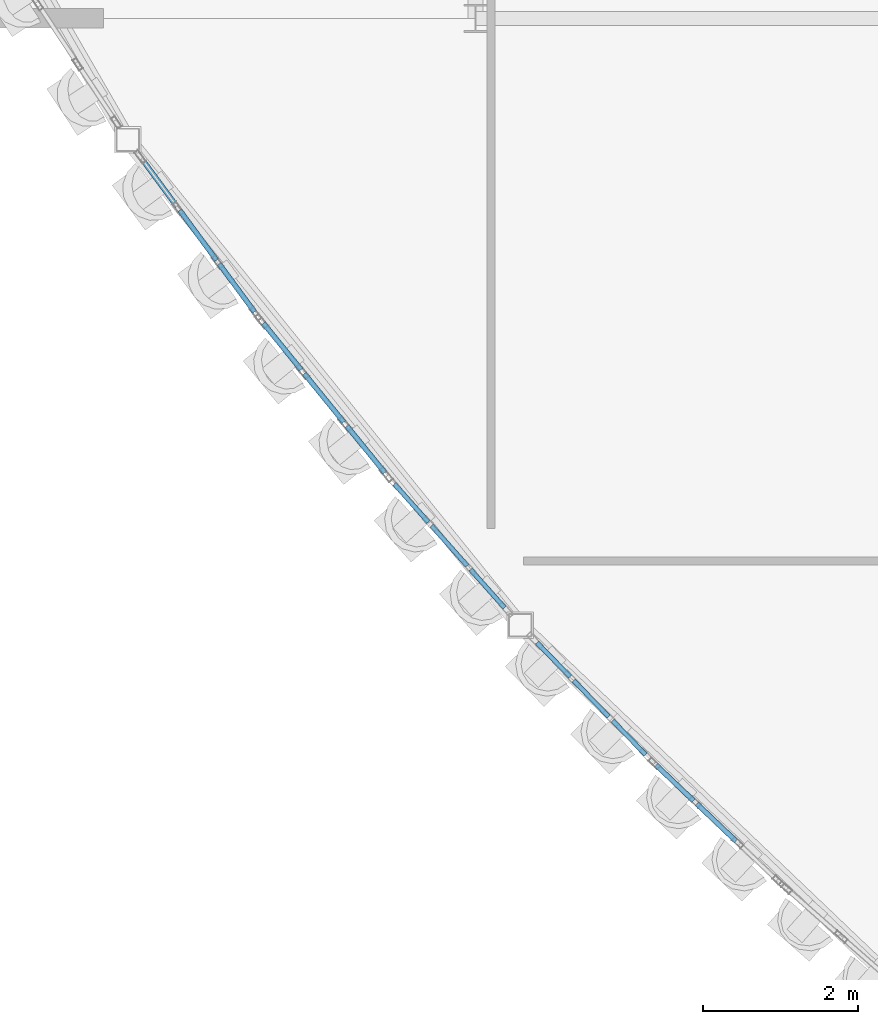
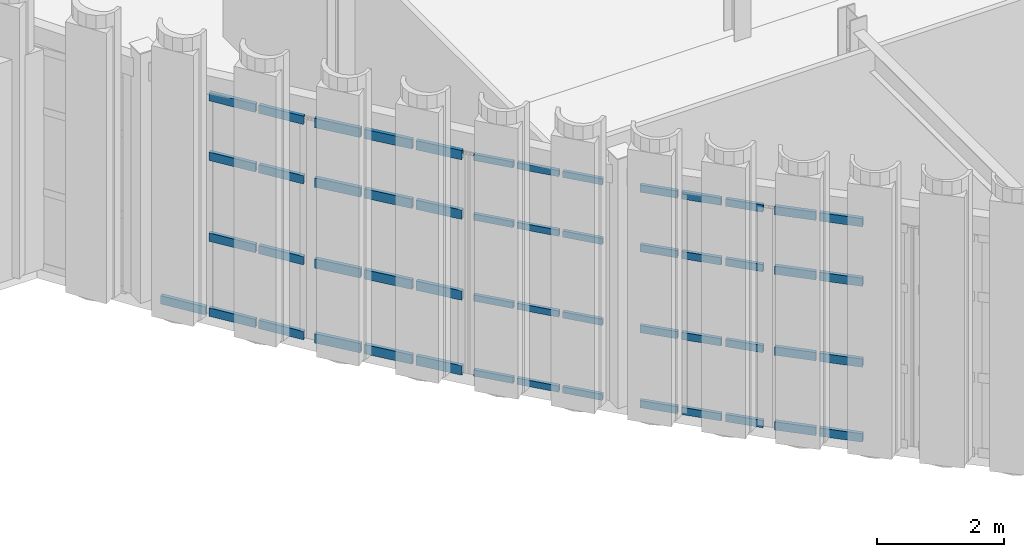
# One storey, part 73 of 126: 53 members, 5 elements without a shape of their own.
"""IFC4 building model written with IfcOpenShell, lengths in metres."""

import ifcopenshell
import ifcopenshell.guid

model = None  # the IFC model being written
_history = None  # IfcOwnerHistory: only IFC2X3 demands one
_inside = {}  # id of a spatial element -> (the spatial element, [elements in it])
_under = {}  # id of a project, library or spatial element -> (it, [spatial elements below it])
_declared = {}  # id of a project -> (the project, [libraries it declares])
_typed = {}  # id of a type object -> (the type object, [elements of that type])
_made_of = {}  # id of a material, layer set ... -> (it, [elements and type objects made of it])


def new_model(schema):
    """Start an empty IFC model of exactly this schema.

    Asked for "IFC4X3", IfcOpenShell would pick the latest addendum, in which some entities
    have other attributes; the version numbers below select the first issue.
    IFC2X3 requires an IfcOwnerHistory on every rooted entity: one is made here for all.
    """
    global model, _history
    if schema == "IFC4X3":
        model = ifcopenshell.file(schema_version=(4, 3, 0, 0))
    else:
        model = ifcopenshell.file(schema=schema)
    _inside.clear()
    _under.clear()
    _declared.clear()
    _typed.clear()
    _made_of.clear()
    _history = None
    if model.schema == "IFC2X3":
        org = make("IfcOrganization", Name="unknown")
        user = make(
            "IfcPersonAndOrganization",
            ThePerson=make("IfcPerson", FamilyName="unknown"),
            TheOrganization=org,
        )
        app = make(
            "IfcApplication",
            ApplicationDeveloper=org,
            Version="unknown",
            ApplicationFullName="unknown",
            ApplicationIdentifier="unknown",
        )
        _history = make(
            "IfcOwnerHistory",
            OwningUser=user,
            OwningApplication=app,
            ChangeAction="ADDED",
            CreationDate=0,
        )
    return model


def make(cls, **values):
    """One entity of the class cls with the attributes given. An attribute that is None is left unset."""
    return model.create_entity(
        cls, **{name: value for name, value in values.items() if value is not None}
    )


def rooted(cls, **values):
    """An entity with a GlobalId (a new one), such as an element, a storey or a relation."""
    return make(cls, GlobalId=ifcopenshell.guid.new(), OwnerHistory=_history, **values)


def si_unit(unit_type, name, prefix=None):
    """IfcSIUnit, for example si_unit("LENGTHUNIT", "METRE", prefix="MILLI")."""
    return make("IfcSIUnit", UnitType=unit_type, Prefix=prefix, Name=name)


def assignment(units):
    """IfcUnitAssignment: the units of a project."""
    return None if units is None else make("IfcUnitAssignment", Units=units)


def point(xyz):
    """IfcCartesianPoint."""
    return None if xyz is None else make("IfcCartesianPoint", Coordinates=xyz)


def direction(xyz):
    """IfcDirection."""
    return None if xyz is None else make("IfcDirection", DirectionRatios=xyz)


def frame(location, z_axis=None, x_axis=None):
    """IfcAxis2Placement3D, a coordinate frame: its origin and axes. An axis left out is left unset."""
    return make(
        "IfcAxis2Placement3D",
        Location=point(location),
        Axis=direction(z_axis),
        RefDirection=direction(x_axis),
    )


def frame_2d(location, x_axis=None):
    """IfcAxis2Placement2D, a coordinate frame in the plane: its origin and x axis."""
    return make(
        "IfcAxis2Placement2D", Location=point(location), RefDirection=direction(x_axis)
    )


def origin():
    """The frame at (0, 0, 0) with its axes left unset."""
    return frame((0.0, 0.0, 0.0))


def origin_2d():
    """The frame at (0, 0) in the plane with its x axis left unset."""
    return frame_2d((0.0, 0.0))


def place(relative_to, where):
    """IfcLocalPlacement: puts the frame where relative to a parent placement (None: the world)."""
    return make(
        "IfcLocalPlacement", PlacementRelTo=relative_to, RelativePlacement=where
    )


def context(
    kind, dimensions, precision=None, world=None, true_north=None, identifier=None
):
    """IfcGeometricRepresentationContext, for example the 3D "Model" context."""
    return make(
        "IfcGeometricRepresentationContext",
        ContextIdentifier=identifier,
        ContextType=kind,
        CoordinateSpaceDimension=dimensions,
        Precision=precision,
        WorldCoordinateSystem=world,
        TrueNorth=true_north,
    )


def subcontext(parent, identifier, kind, view, scale=None):
    """IfcGeometricRepresentationSubContext, for example "Body" below "Model"."""
    return make(
        "IfcGeometricRepresentationSubContext",
        ContextIdentifier=identifier,
        ContextType=kind,
        ParentContext=parent,
        TargetScale=scale,
        TargetView=view,
    )


def project(units=None, contexts=None):
    """IfcProject with its units and contexts."""
    return rooted(
        "IfcProject",
        Name="project",
        RepresentationContexts=contexts,
        UnitsInContext=assignment(units),
    )


def spatial(cls, under=None, at=None, **own):
    """A site, building, storey or space (cls), placed at a placement, below another one or the project."""
    s = rooted(cls, ObjectPlacement=at, **own)
    if under is not None:
        _under.setdefault(under.id(), (under, []))[1].append(s)
    return s


def profile(cls, at=None, kind="AREA", **sizes):
    """A parametric profile (cls). Its sizes go by their IFC names, for example OverallWidth=200.0."""
    return make(cls, ProfileType=kind, Position=at, **sizes)


def hollow_rectangle(**sizes):
    """IfcRectangleHollowProfileDef."""
    return profile("IfcRectangleHollowProfileDef", **sizes)


def extrude(swept, where, along, depth):
    """IfcExtrudedAreaSolid: the profile swept, set in the frame where, extruded along a direction by depth."""
    return make(
        "IfcExtrudedAreaSolid",
        SweptArea=swept,
        Position=where,
        ExtrudedDirection=direction(along),
        Depth=depth,
    )


def shape(context_of_items, identifier, shape_type, items):
    """IfcShapeRepresentation: the items that make up one representation, for example the "Body"."""
    return make(
        "IfcShapeRepresentation",
        ContextOfItems=context_of_items,
        RepresentationIdentifier=identifier,
        RepresentationType=shape_type,
        Items=items,
    )


def material(Name=None, Category=None):
    """IfcMaterial."""
    return make("IfcMaterial", Name=Name, Category=Category)


def layer(
    of_material, thickness, ventilated=None, Name=None, Category=None, Priority=None
):
    """IfcMaterialLayer: one layer of a wall or slab, of a material (None: an air gap)."""
    return make(
        "IfcMaterialLayer",
        Material=of_material,
        LayerThickness=thickness,
        IsVentilated=ventilated,
        Name=Name,
        Category=Category,
        Priority=Priority,
    )


def layer_set(layers, Name=None):
    """IfcMaterialLayerSet."""
    return make("IfcMaterialLayerSet", MaterialLayers=layers, LayerSetName=Name)


def material_profile(
    of_material, cross_section, Name=None, Category=None, Priority=None
):
    """IfcMaterialProfile: a cross section and its material."""
    return make(
        "IfcMaterialProfile",
        Name=Name,
        Material=of_material,
        Profile=cross_section,
        Priority=Priority,
        Category=Category,
    )


def profile_set(profiles, Name=None, composite=None):
    """IfcMaterialProfileSet."""
    return make(
        "IfcMaterialProfileSet",
        Name=Name,
        MaterialProfiles=profiles,
        CompositeProfile=composite,
    )


def made_of(thing, what):
    """Note that an element or type object is made of a material, layer set ...; save() writes the relation."""
    if what is not None:
        _made_of.setdefault(what.id(), (what, []))[1].append(thing)
    return thing


def type_object(cls, material=None, **own):
    """A type object (cls), such as IfcWallType, which elements share."""
    return made_of(rooted(cls, **own), material)


def element(
    cls,
    number,
    at=None,
    inside=None,
    cuts=None,
    type_object=None,
    material=None,
    context=None,
    identifier="Body",
    shape_type=None,
    held_by="IfcProductDefinitionShape",
    body=None,
    shapes=None,
    **own,
):
    """One element of the class cls, such as IfcWall. Its Tag is "e" and its number.

    at: its placement. inside: the storey or other place that contains it. cuts: it is an
    opening in that element (IfcRelVoidsElement). A single representation is given by context,
    identifier, shape_type and body (its items); several are given by shapes. held_by: the class
    of the entity that holds the representations. save() writes the other relations.
    """
    e = rooted(cls, Tag="e%d" % number, ObjectPlacement=at, **own)
    if body is not None:
        shapes = [shape(context, identifier, shape_type, body)]
    if shapes is not None:
        e.Representation = make(held_by, Representations=shapes)
    if inside is not None:
        _inside.setdefault(inside.id(), (inside, []))[1].append(e)
    if cuts is not None:
        rooted(
            "IfcRelVoidsElement", RelatingBuildingElement=cuts, RelatedOpeningElement=e
        )
    if type_object is not None:
        _typed.setdefault(type_object.id(), (type_object, []))[1].append(e)
    return made_of(e, material)


def aggregate(whole, parts):
    """IfcRelAggregates: a whole, such as a stair, and the parts it consists of."""
    return rooted("IfcRelAggregates", RelatingObject=whole, RelatedObjects=parts)


def save(model, path):
    """Write the relations noted so far, then the file.

    IfcRelAggregates (storeys below a building ...), IfcRelContainedInSpatialStructure (elements
    in a storey), IfcRelDefinesByType, IfcRelAssociatesMaterial and IfcRelDeclares: one each for
    every whole, place, type object, material and project.
    """
    for whole, parts in _under.values():
        aggregate(whole, parts)
    for where, things in _inside.values():
        rooted(
            "IfcRelContainedInSpatialStructure",
            RelatedElements=things,
            RelatingStructure=where,
        )
    for kind, things in _typed.values():
        rooted("IfcRelDefinesByType", RelatedObjects=things, RelatingType=kind)
    for what, things in _made_of.values():
        rooted("IfcRelAssociatesMaterial", RelatedObjects=things, RelatingMaterial=what)
    for by, libraries in _declared.values():
        rooted("IfcRelDeclares", RelatingContext=by, RelatedDefinitions=libraries)
    model.write(path)


model = new_model("IFC4")

# Units and contexts
model_context = context("Model", 3, precision=1e-05, world=origin(), true_north=direction((0.0, 1.0)))
body_context = subcontext(model_context, "Body", "Model", "MODEL_VIEW")
ifc_project = project(units=[si_unit("LENGTHUNIT", "METRE"), si_unit("AREAUNIT", "SQUARE_METRE"), si_unit("VOLUMEUNIT", "CUBIC_METRE"), si_unit("PLANEANGLEUNIT", "RADIAN"), si_unit("MASSUNIT", "GRAM", prefix="KILO")], contexts=[model_context])

# Site, building, storey
site_placement = place(None, origin())
site = spatial("IfcSite", under=ifc_project, at=site_placement, CompositionType="ELEMENT")
building_placement = place(site_placement, origin())
building = spatial("IfcBuilding", under=site, at=building_placement, Name="Solvadek Multi-Sports Hall", CompositionType="ELEMENT")
storey_placement = place(building_placement, frame((0.0, 0.0, 9.60009765625)))
storey = spatial("IfcBuildingStorey", under=building, at=storey_placement, Name="L02", CompositionType="ELEMENT", Elevation=9.60009765625)

# Curtain wall, members
ifc_material = material(Name="Anodised aluminium", Category="aluminium")
ifc_layer_1 = layer(ifc_material, 0.159912109375, Name="Anodised aluminium")
ifc_layer_set_1 = layer_set([ifc_layer_1], Name="Anodised aluminium")
curtain_wall_type_1 = type_object("IfcCurtainWallType", Name="ENV-CW-227X420", PredefinedType="USERDEFINED", material=ifc_layer_set_1)
curtain_wall_1_placement = place(storey_placement, origin())
curtain_wall_1 = element("IfcCurtainWall", 1, at=curtain_wall_1_placement, inside=storey, type_object=curtain_wall_type_1, Name="L02 Crescent Curved Curtain Wall #12", ObjectType="CURTAIN WALL", PredefinedType="USERDEFINED")
ifc_material_profile_1 = material_profile(ifc_material, hollow_rectangle(XDim=0.06005859375, YDim=0.1201171875, WallThickness=0.00390625, at=origin_2d()), Name="ALU-T 120x60x4")
ifc_profile_set_1 = profile_set([ifc_material_profile_1], Name="Anodised aluminium")
member_type_1 = type_object("IfcMemberType", Name="ENV-CWT-01", PredefinedType="USERDEFINED", material=ifc_profile_set_1)
member_1_placement = place(storey_placement, frame((34.951904296875, 7.1962890625, 0.02978515625), z_axis=(0.664754953116, -0.747061478265, 0.0), x_axis=(0.747061478265, 0.664754953116, 0.0)))
member_1 = element("IfcMember", 2, at=member_1_placement, type_object=member_type_1, Name="CW-06 transom 1.1", ObjectType="TRANSOM", PredefinedType="USERDEFINED", context=body_context, shape_type="SweptSolid", body=[
    extrude(hollow_rectangle(XDim=0.06005859375, YDim=0.1201171875, WallThickness=0.00390625, at=origin_2d()), origin(), (0.0, 0.0, 1.0), 0.658447265625),
])
member_2_placement = place(storey_placement, frame((34.951904296875, 7.1962890625, 1.469970703125), z_axis=(0.664754953116, -0.747061478265, 0.0), x_axis=(0.747061478265, 0.664754953116, 0.0)))
member_2 = element("IfcMember", 3, at=member_2_placement, type_object=member_type_1, Name="CW-06 transom 1.2", ObjectType="TRANSOM", PredefinedType="USERDEFINED", context=body_context, shape_type="SweptSolid", body=[
    extrude(hollow_rectangle(XDim=0.06005859375, YDim=0.1201171875, WallThickness=0.00390625, at=origin_2d()), origin(), (0.0, 0.0, 1.0), 0.658447265625),
])
member_3_placement = place(storey_placement, frame((34.951904296875, 7.1962890625, 3.02392578125), z_axis=(0.664754953116, -0.747061478265, 0.0), x_axis=(0.747061478265, 0.664754953116, 0.0)))
member_3 = element("IfcMember", 4, at=member_3_placement, type_object=member_type_1, Name="CW-06 transom 1.3", ObjectType="TRANSOM", PredefinedType="USERDEFINED", context=body_context, shape_type="SweptSolid", body=[
    extrude(hollow_rectangle(XDim=0.06005859375, YDim=0.1201171875, WallThickness=0.00390625, at=origin_2d()), origin(), (0.0, 0.0, 1.0), 0.658447265625),
])
member_4_placement = place(storey_placement, frame((34.951904296875, 7.1962890625, 4.169921875), z_axis=(0.664754953116, -0.747061478265, 0.0), x_axis=(0.747061478265, 0.664754953116, 0.0)))
member_4 = element("IfcMember", 5, at=member_4_placement, type_object=member_type_1, Name="CW-06 transom 1.4", ObjectType="TRANSOM", PredefinedType="USERDEFINED", context=body_context, shape_type="SweptSolid", body=[
    extrude(hollow_rectangle(XDim=0.06005859375, YDim=0.1201171875, WallThickness=0.00390625, at=origin_2d()), origin(), (0.0, 0.0, 1.0), 0.658447265625),
])
member_5_placement = place(storey_placement, frame((35.432861328125, 6.65576171875, 0.02978515625), z_axis=(0.664736649167, -0.747077765199, 0.0), x_axis=(0.747077765199, 0.664736649167, 0.0)))
member_5 = element("IfcMember", 6, at=member_5_placement, type_object=member_type_1, Name="CW-06 transom 2.1", ObjectType="TRANSOM", PredefinedType="USERDEFINED", context=body_context, shape_type="SweptSolid", body=[
    extrude(hollow_rectangle(XDim=0.06005859375, YDim=0.1201171875, WallThickness=0.00390625, at=origin_2d()), origin(), (0.0, 0.0, 1.0), 0.69091796875),
])
member_6_placement = place(storey_placement, frame((35.432861328125, 6.65576171875, 1.469970703125), z_axis=(0.664736649167, -0.747077765199, 0.0), x_axis=(0.747077765199, 0.664736649167, 0.0)))
member_6 = element("IfcMember", 7, at=member_6_placement, type_object=member_type_1, Name="CW-06 transom 2.2", ObjectType="TRANSOM", PredefinedType="USERDEFINED", context=body_context, shape_type="SweptSolid", body=[
    extrude(hollow_rectangle(XDim=0.06005859375, YDim=0.1201171875, WallThickness=0.00390625, at=origin_2d()), origin(), (0.0, 0.0, 1.0), 0.69091796875),
])
member_7_placement = place(storey_placement, frame((35.432861328125, 6.65576171875, 3.02392578125), z_axis=(0.664736649167, -0.747077765199, 0.0), x_axis=(0.747077765199, 0.664736649167, 0.0)))
member_7 = element("IfcMember", 8, at=member_7_placement, type_object=member_type_1, Name="CW-06 transom 2.3", ObjectType="TRANSOM", PredefinedType="USERDEFINED", context=body_context, shape_type="SweptSolid", body=[
    extrude(hollow_rectangle(XDim=0.06005859375, YDim=0.1201171875, WallThickness=0.00390625, at=origin_2d()), origin(), (0.0, 0.0, 1.0), 0.69091796875),
])
member_8_placement = place(storey_placement, frame((35.432861328125, 6.65576171875, 4.169921875), z_axis=(0.664736649167, -0.747077765199, 0.0), x_axis=(0.747077765199, 0.664736649167, 0.0)))
member_8 = element("IfcMember", 9, at=member_8_placement, type_object=member_type_1, Name="CW-06 transom 2.4", ObjectType="TRANSOM", PredefinedType="USERDEFINED", context=body_context, shape_type="SweptSolid", body=[
    extrude(hollow_rectangle(XDim=0.06005859375, YDim=0.1201171875, WallThickness=0.00390625, at=origin_2d()), origin(), (0.0, 0.0, 1.0), 0.69091796875),
])
member_9_placement = place(storey_placement, frame((35.935302734375, 6.09130859375, 0.02978515625), z_axis=(0.664754953116, -0.747061478265, 0.0), x_axis=(0.747061478265, 0.664754953116, 0.0)))
member_9 = element("IfcMember", 10, at=member_9_placement, type_object=member_type_1, Name="CW-06 transom 3.1", ObjectType="TRANSOM", PredefinedType="USERDEFINED", context=body_context, shape_type="SweptSolid", body=[
    extrude(hollow_rectangle(XDim=0.06005859375, YDim=0.1201171875, WallThickness=0.00390625, at=origin_2d()), origin(), (0.0, 0.0, 1.0), 0.658447265625),
])
member_10_placement = place(storey_placement, frame((35.935302734375, 6.09130859375, 1.469970703125), z_axis=(0.664754953116, -0.747061478265, 0.0), x_axis=(0.747061478265, 0.664754953116, 0.0)))
member_10 = element("IfcMember", 11, at=member_10_placement, type_object=member_type_1, Name="CW-06 transom 3.2", ObjectType="TRANSOM", PredefinedType="USERDEFINED", context=body_context, shape_type="SweptSolid", body=[
    extrude(hollow_rectangle(XDim=0.06005859375, YDim=0.1201171875, WallThickness=0.00390625, at=origin_2d()), origin(), (0.0, 0.0, 1.0), 0.658447265625),
])
member_11_placement = place(storey_placement, frame((35.935302734375, 6.09130859375, 3.02392578125), z_axis=(0.664754953116, -0.747061478265, 0.0), x_axis=(0.747061478265, 0.664754953116, 0.0)))
member_11 = element("IfcMember", 12, at=member_11_placement, type_object=member_type_1, Name="CW-06 transom 3.3", ObjectType="TRANSOM", PredefinedType="USERDEFINED", context=body_context, shape_type="SweptSolid", body=[
    extrude(hollow_rectangle(XDim=0.06005859375, YDim=0.1201171875, WallThickness=0.00390625, at=origin_2d()), origin(), (0.0, 0.0, 1.0), 0.658447265625),
])
member_12_placement = place(storey_placement, frame((35.935302734375, 6.09130859375, 4.169921875), z_axis=(0.664754953116, -0.747061478265, 0.0), x_axis=(0.747061478265, 0.664754953116, 0.0)))
member_12 = element("IfcMember", 13, at=member_12_placement, type_object=member_type_1, Name="CW-06 transom 3.4", ObjectType="TRANSOM", PredefinedType="USERDEFINED", context=body_context, shape_type="SweptSolid", body=[
    extrude(hollow_rectangle(XDim=0.06005859375, YDim=0.1201171875, WallThickness=0.00390625, at=origin_2d()), origin(), (0.0, 0.0, 1.0), 0.658447265625),
])
aggregate(curtain_wall_1, [member_1, member_2, member_3, member_4, member_5, member_6, member_7, member_8, member_9, member_10, member_11, member_12])

ifc_layer_2 = layer(ifc_material, 0.159912109375, Name="Anodised aluminium")
ifc_layer_set_2 = layer_set([ifc_layer_2], Name="Anodised aluminium")
curtain_wall_type_2 = type_object("IfcCurtainWallType", Name="ENV-CW-215X420", PredefinedType="USERDEFINED", material=ifc_layer_set_2)
curtain_wall_2_placement = place(storey_placement, origin())
curtain_wall_2 = element("IfcCurtainWall", 14, at=curtain_wall_2_placement, inside=storey, type_object=curtain_wall_type_2, Name="L02 Crescent Curved Curtain Wall #14", ObjectType="CURTAIN WALL", PredefinedType="USERDEFINED")
ifc_material_profile_2 = material_profile(ifc_material, hollow_rectangle(XDim=0.06005859375, YDim=0.139892578125, WallThickness=0.00390625, at=origin_2d()), Name="ALU-T 140x60x4")
ifc_profile_set_2 = profile_set([ifc_material_profile_2], Name="Anodised aluminium")
member_type_2 = type_object("IfcMemberType", Name="ENV-CWT-02", PredefinedType="USERDEFINED", material=ifc_profile_set_2)
member_13_placement = place(storey_placement, frame((36.79150390625, 5.14892578125, 0.02978515625), z_axis=(0.69586584662, -0.718171792476, 0.0), x_axis=(0.718171792476, 0.69586584662, 0.0)))
member_13 = element("IfcMember", 15, at=member_13_placement, type_object=member_type_2, Name="CW-07 transom 1.1", ObjectType="TRANSOM", PredefinedType="USERDEFINED", context=body_context, shape_type="SweptSolid", body=[
    extrude(hollow_rectangle(XDim=0.06005859375, YDim=0.139892578125, WallThickness=0.00390625, at=origin_2d()), origin(), (0.0, 0.0, 1.0), 0.613037109375),
])
member_14_placement = place(storey_placement, frame((36.79150390625, 5.14892578125, 1.469970703125), z_axis=(0.69586584662, -0.718171792476, 0.0), x_axis=(0.718171792476, 0.69586584662, 0.0)))
member_14 = element("IfcMember", 16, at=member_14_placement, type_object=member_type_2, Name="CW-07 transom 1.2", ObjectType="TRANSOM", PredefinedType="USERDEFINED", context=body_context, shape_type="SweptSolid", body=[
    extrude(hollow_rectangle(XDim=0.06005859375, YDim=0.139892578125, WallThickness=0.00390625, at=origin_2d()), origin(), (0.0, 0.0, 1.0), 0.613037109375),
])
member_15_placement = place(storey_placement, frame((36.79150390625, 5.14892578125, 3.02392578125), z_axis=(0.69586584662, -0.718171792476, 0.0), x_axis=(0.718171792476, 0.69586584662, 0.0)))
member_15 = element("IfcMember", 17, at=member_15_placement, type_object=member_type_2, Name="CW-07 transom 1.3", ObjectType="TRANSOM", PredefinedType="USERDEFINED", context=body_context, shape_type="SweptSolid", body=[
    extrude(hollow_rectangle(XDim=0.06005859375, YDim=0.139892578125, WallThickness=0.00390625, at=origin_2d()), origin(), (0.0, 0.0, 1.0), 0.613037109375),
])
member_16_placement = place(storey_placement, frame((36.79150390625, 5.14892578125, 4.169921875), z_axis=(0.69586584662, -0.718171792476, 0.0), x_axis=(0.718171792476, 0.69586584662, 0.0)))
member_16 = element("IfcMember", 18, at=member_16_placement, type_object=member_type_2, Name="CW-07 transom 1.4", ObjectType="TRANSOM", PredefinedType="USERDEFINED", context=body_context, shape_type="SweptSolid", body=[
    extrude(hollow_rectangle(XDim=0.06005859375, YDim=0.139892578125, WallThickness=0.00390625, at=origin_2d()), origin(), (0.0, 0.0, 1.0), 0.613037109375),
])
member_17_placement = place(storey_placement, frame((37.266845703125, 4.658447265625, 0.02978515625), z_axis=(0.696092860853, -0.71795175957, 0.0), x_axis=(0.71795175957, 0.696092860853, 0.0)))
member_17 = element("IfcMember", 19, at=member_17_placement, type_object=member_type_2, Name="CW-07 transom 2.1", ObjectType="TRANSOM", PredefinedType="USERDEFINED", context=body_context, shape_type="SweptSolid", body=[
    extrude(hollow_rectangle(XDim=0.06005859375, YDim=0.139892578125, WallThickness=0.00390625, at=origin_2d()), origin(), (0.0, 0.0, 1.0), 0.647705078125),
])
member_18_placement = place(storey_placement, frame((37.266845703125, 4.658447265625, 1.469970703125), z_axis=(0.696092860853, -0.71795175957, 0.0), x_axis=(0.71795175957, 0.696092860853, 0.0)))
member_18 = element("IfcMember", 20, at=member_18_placement, type_object=member_type_2, Name="CW-07 transom 2.2", ObjectType="TRANSOM", PredefinedType="USERDEFINED", context=body_context, shape_type="SweptSolid", body=[
    extrude(hollow_rectangle(XDim=0.06005859375, YDim=0.139892578125, WallThickness=0.00390625, at=origin_2d()), origin(), (0.0, 0.0, 1.0), 0.647705078125),
])
member_19_placement = place(storey_placement, frame((37.266845703125, 4.658447265625, 3.02392578125), z_axis=(0.696092860853, -0.71795175957, 0.0), x_axis=(0.71795175957, 0.696092860853, 0.0)))
member_19 = element("IfcMember", 21, at=member_19_placement, type_object=member_type_2, Name="CW-07 transom 2.3", ObjectType="TRANSOM", PredefinedType="USERDEFINED", context=body_context, shape_type="SweptSolid", body=[
    extrude(hollow_rectangle(XDim=0.06005859375, YDim=0.139892578125, WallThickness=0.00390625, at=origin_2d()), origin(), (0.0, 0.0, 1.0), 0.647705078125),
])
member_20_placement = place(storey_placement, frame((37.266845703125, 4.658447265625, 4.169921875), z_axis=(0.696092860853, -0.71795175957, 0.0), x_axis=(0.71795175957, 0.696092860853, 0.0)))
member_20 = element("IfcMember", 22, at=member_20_placement, type_object=member_type_2, Name="CW-07 transom 2.4", ObjectType="TRANSOM", PredefinedType="USERDEFINED", context=body_context, shape_type="SweptSolid", body=[
    extrude(hollow_rectangle(XDim=0.06005859375, YDim=0.139892578125, WallThickness=0.00390625, at=origin_2d()), origin(), (0.0, 0.0, 1.0), 0.647705078125),
])
member_21_placement = place(storey_placement, frame((37.7666015625, 4.14306640625, 0.02978515625), z_axis=(0.69586584662, -0.718171792476, 0.0), x_axis=(0.718171792476, 0.69586584662, 0.0)))
member_21 = element("IfcMember", 23, at=member_21_placement, type_object=member_type_2, Name="CW-07 transom 3.1", ObjectType="TRANSOM", PredefinedType="USERDEFINED", context=body_context, shape_type="SweptSolid", body=[
    extrude(hollow_rectangle(XDim=0.06005859375, YDim=0.139892578125, WallThickness=0.00390625, at=origin_2d()), origin(), (0.0, 0.0, 1.0), 0.613037109375),
])
member_22_placement = place(storey_placement, frame((37.7666015625, 4.14306640625, 1.469970703125), z_axis=(0.69586584662, -0.718171792476, 0.0), x_axis=(0.718171792476, 0.69586584662, 0.0)))
member_22 = element("IfcMember", 24, at=member_22_placement, type_object=member_type_2, Name="CW-07 transom 3.2", ObjectType="TRANSOM", PredefinedType="USERDEFINED", context=body_context, shape_type="SweptSolid", body=[
    extrude(hollow_rectangle(XDim=0.06005859375, YDim=0.139892578125, WallThickness=0.00390625, at=origin_2d()), origin(), (0.0, 0.0, 1.0), 0.613037109375),
])
member_23_placement = place(storey_placement, frame((37.7666015625, 4.14306640625, 3.02392578125), z_axis=(0.69586584662, -0.718171792476, 0.0), x_axis=(0.718171792476, 0.69586584662, 0.0)))
member_23 = element("IfcMember", 25, at=member_23_placement, type_object=member_type_2, Name="CW-07 transom 3.3", ObjectType="TRANSOM", PredefinedType="USERDEFINED", context=body_context, shape_type="SweptSolid", body=[
    extrude(hollow_rectangle(XDim=0.06005859375, YDim=0.139892578125, WallThickness=0.00390625, at=origin_2d()), origin(), (0.0, 0.0, 1.0), 0.613037109375),
])
member_24_placement = place(storey_placement, frame((37.7666015625, 4.14306640625, 4.169921875), z_axis=(0.69586584662, -0.718171792476, 0.0), x_axis=(0.718171792476, 0.69586584662, 0.0)))
member_24 = element("IfcMember", 26, at=member_24_placement, type_object=member_type_2, Name="CW-07 transom 3.4", ObjectType="TRANSOM", PredefinedType="USERDEFINED", context=body_context, shape_type="SweptSolid", body=[
    extrude(hollow_rectangle(XDim=0.06005859375, YDim=0.139892578125, WallThickness=0.00390625, at=origin_2d()), origin(), (0.0, 0.0, 1.0), 0.613037109375),
])
aggregate(curtain_wall_2, [member_13, member_14, member_15, member_16, member_17, member_18, member_19, member_20, member_21, member_22, member_23, member_24])

ifc_layer_3 = layer(ifc_material, 0.159912109375, Name="Anodised aluminium")
ifc_layer_set_3 = layer_set([ifc_layer_3], Name="Anodised aluminium")
curtain_wall_type_3 = type_object("IfcCurtainWallType", Name="ENV-CW-257X420", PredefinedType="USERDEFINED", material=ifc_layer_set_3)
curtain_wall_3_placement = place(storey_placement, origin())
curtain_wall_3 = element("IfcCurtainWall", 27, at=curtain_wall_3_placement, inside=storey, type_object=curtain_wall_type_3, Name="L02 Crescent Curved Curtain Wall #8", ObjectType="CURTAIN WALL", PredefinedType="USERDEFINED")
ifc_material_profile_3 = material_profile(ifc_material, hollow_rectangle(XDim=0.06494140625, YDim=0.159912109375, WallThickness=0.00390625, at=origin_2d()), Name="ALU-T 160x65x4")
ifc_profile_set_3 = profile_set([ifc_material_profile_3], Name="Anodised aluminium")
member_type_3 = type_object("IfcMemberType", Name="ENV-CWT-03", PredefinedType="USERDEFINED", material=ifc_profile_set_3)
member_25_placement = place(storey_placement, frame((31.693115234375, 11.390869140625, 0.032470703125), z_axis=(0.593264106904, -0.805007887824, 0.0), x_axis=(0.805007887824, 0.593264106904, 0.0)))
member_25 = element("IfcMember", 28, at=member_25_placement, type_object=member_type_3, Name="CW-04 transom 1.1", ObjectType="TRANSOM", PredefinedType="USERDEFINED", context=body_context, shape_type="SweptSolid", body=[
    extrude(hollow_rectangle(XDim=0.06494140625, YDim=0.159912109375, WallThickness=0.00390625, at=origin_2d()), origin(), (0.0, 0.0, 1.0), 0.767822265625),
])
member_26_placement = place(storey_placement, frame((32.184326171875, 10.724365234375, 0.032470703125), z_axis=(0.593125994796, -0.805109653586, 0.0), x_axis=(0.805109653586, 0.593125994796, 0.0)))
member_26 = element("IfcMember", 29, at=member_26_placement, type_object=member_type_3, Name="CW-04 transom 2.1", ObjectType="TRANSOM", PredefinedType="USERDEFINED", context=body_context, shape_type="SweptSolid", body=[
    extrude(hollow_rectangle(XDim=0.06494140625, YDim=0.159912109375, WallThickness=0.00390625, at=origin_2d()), origin(), (0.0, 0.0, 1.0), 0.798095703125),
])
member_27_placement = place(storey_placement, frame((32.184326171875, 10.724365234375, 1.469970703125), z_axis=(0.593125994796, -0.805109653586, 0.0), x_axis=(0.805109653586, 0.593125994796, 0.0)))
member_27 = element("IfcMember", 30, at=member_27_placement, type_object=member_type_3, Name="CW-04 transom 2.2", ObjectType="TRANSOM", PredefinedType="USERDEFINED", context=body_context, shape_type="SweptSolid", body=[
    extrude(hollow_rectangle(XDim=0.06494140625, YDim=0.159912109375, WallThickness=0.00390625, at=origin_2d()), origin(), (0.0, 0.0, 1.0), 0.798095703125),
])
member_28_placement = place(storey_placement, frame((32.184326171875, 10.724365234375, 3.02392578125), z_axis=(0.593125994796, -0.805109653586, 0.0), x_axis=(0.805109653586, 0.593125994796, 0.0)))
member_28 = element("IfcMember", 31, at=member_28_placement, type_object=member_type_3, Name="CW-04 transom 2.3", ObjectType="TRANSOM", PredefinedType="USERDEFINED", context=body_context, shape_type="SweptSolid", body=[
    extrude(hollow_rectangle(XDim=0.06494140625, YDim=0.159912109375, WallThickness=0.00390625, at=origin_2d()), origin(), (0.0, 0.0, 1.0), 0.798095703125),
])
member_29_placement = place(storey_placement, frame((32.184326171875, 10.724365234375, 4.16748046875), z_axis=(0.593125994796, -0.805109653586, 0.0), x_axis=(0.805109653586, 0.593125994796, 0.0)))
member_29 = element("IfcMember", 32, at=member_29_placement, type_object=member_type_3, Name="CW-04 transom 2.4", ObjectType="TRANSOM", PredefinedType="USERDEFINED", context=body_context, shape_type="SweptSolid", body=[
    extrude(hollow_rectangle(XDim=0.06494140625, YDim=0.159912109375, WallThickness=0.00390625, at=origin_2d()), origin(), (0.0, 0.0, 1.0), 0.798095703125),
])
member_30_placement = place(storey_placement, frame((32.693115234375, 10.03369140625, 0.032470703125), z_axis=(0.593112295753, -0.805119745521, 0.0), x_axis=(0.805119745521, 0.593112295753, 0.0)))
member_30 = element("IfcMember", 33, at=member_30_placement, type_object=member_type_3, Name="CW-04 transom 3.1", ObjectType="TRANSOM", PredefinedType="USERDEFINED", context=body_context, shape_type="SweptSolid", body=[
    extrude(hollow_rectangle(XDim=0.06494140625, YDim=0.159912109375, WallThickness=0.00390625, at=origin_2d()), origin(), (0.0, 0.0, 1.0), 0.76806640625),
])
member_31_placement = place(storey_placement, frame((32.693115234375, 10.03369140625, 1.469970703125), z_axis=(0.593112295753, -0.805119745521, 0.0), x_axis=(0.805119745521, 0.593112295753, 0.0)))
member_31 = element("IfcMember", 34, at=member_31_placement, type_object=member_type_3, Name="CW-04 transom 3.2", ObjectType="TRANSOM", PredefinedType="USERDEFINED", context=body_context, shape_type="SweptSolid", body=[
    extrude(hollow_rectangle(XDim=0.06494140625, YDim=0.159912109375, WallThickness=0.00390625, at=origin_2d()), origin(), (0.0, 0.0, 1.0), 0.76806640625),
])
member_32_placement = place(storey_placement, frame((32.693115234375, 10.03369140625, 3.02392578125), z_axis=(0.593112295753, -0.805119745521, 0.0), x_axis=(0.805119745521, 0.593112295753, 0.0)))
member_32 = element("IfcMember", 35, at=member_32_placement, type_object=member_type_3, Name="CW-04 transom 3.3", ObjectType="TRANSOM", PredefinedType="USERDEFINED", context=body_context, shape_type="SweptSolid", body=[
    extrude(hollow_rectangle(XDim=0.06494140625, YDim=0.159912109375, WallThickness=0.00390625, at=origin_2d()), origin(), (0.0, 0.0, 1.0), 0.76806640625),
])
member_33_placement = place(storey_placement, frame((32.693115234375, 10.03369140625, 4.16748046875), z_axis=(0.593112295753, -0.805119745521, 0.0), x_axis=(0.805119745521, 0.593112295753, 0.0)))
member_33 = element("IfcMember", 36, at=member_33_placement, type_object=member_type_3, Name="CW-04 transom 3.4", ObjectType="TRANSOM", PredefinedType="USERDEFINED", context=body_context, shape_type="SweptSolid", body=[
    extrude(hollow_rectangle(XDim=0.06494140625, YDim=0.159912109375, WallThickness=0.00390625, at=origin_2d()), origin(), (0.0, 0.0, 1.0), 0.76806640625),
])
aggregate(curtain_wall_3, [member_25, member_26, member_27, member_28, member_29, member_30, member_31, member_32, member_33])

curtain_wall_4_placement = place(storey_placement, origin())
curtain_wall_4 = element("IfcCurtainWall", 37, at=curtain_wall_4_placement, inside=storey, type_object=curtain_wall_type_1, Name="L02 Crescent Curved Curtain Wall #16", ObjectType="CURTAIN WALL", PredefinedType="USERDEFINED")
member_34_placement = place(storey_placement, frame((38.327880859375, 3.569091796875, 0.032470703125), z_axis=(0.724843798596, -0.688913251169, 0.0), x_axis=(0.688913251169, 0.724843798596, 0.0)))
member_34 = element("IfcMember", 38, at=member_34_placement, type_object=member_type_3, Name="CW-06 transom 1.1", ObjectType="TRANSOM", PredefinedType="USERDEFINED", context=body_context, shape_type="SweptSolid", body=[
    extrude(hollow_rectangle(XDim=0.06494140625, YDim=0.159912109375, WallThickness=0.00390625, at=origin_2d()), origin(), (0.0, 0.0, 1.0), 0.665771484375),
])
member_35_placement = place(storey_placement, frame((38.327880859375, 3.569091796875, 1.469970703125), z_axis=(0.724843798596, -0.688913251169, 0.0), x_axis=(0.688913251169, 0.724843798596, 0.0)))
member_35 = element("IfcMember", 39, at=member_35_placement, type_object=member_type_3, Name="CW-06 transom 1.2", ObjectType="TRANSOM", PredefinedType="USERDEFINED", context=body_context, shape_type="SweptSolid", body=[
    extrude(hollow_rectangle(XDim=0.06494140625, YDim=0.159912109375, WallThickness=0.00390625, at=origin_2d()), origin(), (0.0, 0.0, 1.0), 0.665771484375),
])
member_36_placement = place(storey_placement, frame((38.327880859375, 3.569091796875, 3.02392578125), z_axis=(0.724843798596, -0.688913251169, 0.0), x_axis=(0.688913251169, 0.724843798596, 0.0)))
member_36 = element("IfcMember", 40, at=member_36_placement, type_object=member_type_3, Name="CW-06 transom 1.3", ObjectType="TRANSOM", PredefinedType="USERDEFINED", context=body_context, shape_type="SweptSolid", body=[
    extrude(hollow_rectangle(XDim=0.06494140625, YDim=0.159912109375, WallThickness=0.00390625, at=origin_2d()), origin(), (0.0, 0.0, 1.0), 0.665771484375),
])
member_37_placement = place(storey_placement, frame((38.327880859375, 3.569091796875, 4.16748046875), z_axis=(0.724843798596, -0.688913251169, 0.0), x_axis=(0.688913251169, 0.724843798596, 0.0)))
member_37 = element("IfcMember", 41, at=member_37_placement, type_object=member_type_3, Name="CW-06 transom 1.4", ObjectType="TRANSOM", PredefinedType="USERDEFINED", context=body_context, shape_type="SweptSolid", body=[
    extrude(hollow_rectangle(XDim=0.06494140625, YDim=0.159912109375, WallThickness=0.00390625, at=origin_2d()), origin(), (0.0, 0.0, 1.0), 0.665771484375),
])
member_38_placement = place(storey_placement, frame((38.85400390625, 3.069091796875, 0.032470703125), z_axis=(0.72460507293, -0.689164340549, 0.0), x_axis=(0.689164340549, 0.72460507293, 0.0)))
member_38 = element("IfcMember", 42, at=member_38_placement, type_object=member_type_3, Name="CW-06 transom 2.1", ObjectType="TRANSOM", PredefinedType="USERDEFINED", context=body_context, shape_type="SweptSolid", body=[
    extrude(hollow_rectangle(XDim=0.06494140625, YDim=0.159912109375, WallThickness=0.00390625, at=origin_2d()), origin(), (0.0, 0.0, 1.0), 0.69580078125),
])
member_39_placement = place(storey_placement, frame((38.85400390625, 3.069091796875, 1.469970703125), z_axis=(0.72460507293, -0.689164340549, 0.0), x_axis=(0.689164340549, 0.72460507293, 0.0)))
member_39 = element("IfcMember", 43, at=member_39_placement, type_object=member_type_3, Name="CW-06 transom 2.2", ObjectType="TRANSOM", PredefinedType="USERDEFINED", context=body_context, shape_type="SweptSolid", body=[
    extrude(hollow_rectangle(XDim=0.06494140625, YDim=0.159912109375, WallThickness=0.00390625, at=origin_2d()), origin(), (0.0, 0.0, 1.0), 0.69580078125),
])
member_40_placement = place(storey_placement, frame((38.85400390625, 3.069091796875, 3.02392578125), z_axis=(0.72460507293, -0.689164340549, 0.0), x_axis=(0.689164340549, 0.72460507293, 0.0)))
member_40 = element("IfcMember", 44, at=member_40_placement, type_object=member_type_3, Name="CW-06 transom 2.3", ObjectType="TRANSOM", PredefinedType="USERDEFINED", context=body_context, shape_type="SweptSolid", body=[
    extrude(hollow_rectangle(XDim=0.06494140625, YDim=0.159912109375, WallThickness=0.00390625, at=origin_2d()), origin(), (0.0, 0.0, 1.0), 0.69580078125),
])
member_41_placement = place(storey_placement, frame((38.85400390625, 3.069091796875, 4.16748046875), z_axis=(0.72460507293, -0.689164340549, 0.0), x_axis=(0.689164340549, 0.72460507293, 0.0)))
member_41 = element("IfcMember", 45, at=member_41_placement, type_object=member_type_3, Name="CW-06 transom 2.4", ObjectType="TRANSOM", PredefinedType="USERDEFINED", context=body_context, shape_type="SweptSolid", body=[
    extrude(hollow_rectangle(XDim=0.06494140625, YDim=0.159912109375, WallThickness=0.00390625, at=origin_2d()), origin(), (0.0, 0.0, 1.0), 0.69580078125),
])
aggregate(curtain_wall_4, [member_34, member_35, member_36, member_37, member_38, member_39, member_40, member_41])

ifc_layer_4 = layer(ifc_material, 0.159912109375, Name="Anodised aluminium")
ifc_layer_set_4 = layer_set([ifc_layer_4], Name="Anodised aluminium")
curtain_wall_type_4 = type_object("IfcCurtainWallType", Name="ENV-CW-261X420", PredefinedType="USERDEFINED", material=ifc_layer_set_4)
curtain_wall_5_placement = place(storey_placement, origin())
curtain_wall_5 = element("IfcCurtainWall", 46, at=curtain_wall_5_placement, inside=storey, type_object=curtain_wall_type_4, Name="L02 Crescent Curved Curtain Wall #10", ObjectType="CURTAIN WALL", PredefinedType="USERDEFINED")
ifc_material_profile_4 = material_profile(ifc_material, hollow_rectangle(XDim=0.06494140625, YDim=0.179931640625, WallThickness=0.0048828125, at=origin_2d()), Name="ALU-T 180x65x5")
ifc_profile_set_4 = profile_set([ifc_material_profile_4], Name="Anodised aluminium")
member_type_4 = type_object("IfcMemberType", Name="ENV-CWT-04", PredefinedType="USERDEFINED", material=ifc_profile_set_4)
member_42_placement = place(storey_placement, frame((33.261962890625, 9.26904296875, 0.032470703125), z_axis=(0.630830084545, -0.77592100399, 0.0), x_axis=(0.77592100399, 0.630830084545, 0.0)))
member_42 = element("IfcMember", 47, at=member_42_placement, type_object=member_type_4, Name="CW-05 transom 1.1", ObjectType="TRANSOM", PredefinedType="USERDEFINED", context=body_context, shape_type="SweptSolid", body=[
    extrude(hollow_rectangle(XDim=0.06494140625, YDim=0.179931640625, WallThickness=0.0048828125, at=origin_2d()), origin(), (0.0, 0.0, 1.0), 0.77392578125),
])
member_43_placement = place(storey_placement, frame((33.261962890625, 9.26904296875, 1.469970703125), z_axis=(0.630830084545, -0.77592100399, 0.0), x_axis=(0.77592100399, 0.630830084545, 0.0)))
member_43 = element("IfcMember", 48, at=member_43_placement, type_object=member_type_4, Name="CW-05 transom 1.2", ObjectType="TRANSOM", PredefinedType="USERDEFINED", context=body_context, shape_type="SweptSolid", body=[
    extrude(hollow_rectangle(XDim=0.06494140625, YDim=0.179931640625, WallThickness=0.0048828125, at=origin_2d()), origin(), (0.0, 0.0, 1.0), 0.77392578125),
])
member_44_placement = place(storey_placement, frame((33.261962890625, 9.26904296875, 3.02392578125), z_axis=(0.630830084545, -0.77592100399, 0.0), x_axis=(0.77592100399, 0.630830084545, 0.0)))
member_44 = element("IfcMember", 49, at=member_44_placement, type_object=member_type_4, Name="CW-05 transom 1.3", ObjectType="TRANSOM", PredefinedType="USERDEFINED", context=body_context, shape_type="SweptSolid", body=[
    extrude(hollow_rectangle(XDim=0.06494140625, YDim=0.179931640625, WallThickness=0.0048828125, at=origin_2d()), origin(), (0.0, 0.0, 1.0), 0.77392578125),
])
member_45_placement = place(storey_placement, frame((33.261962890625, 9.26904296875, 4.16748046875), z_axis=(0.630830084545, -0.77592100399, 0.0), x_axis=(0.77592100399, 0.630830084545, 0.0)))
member_45 = element("IfcMember", 50, at=member_45_placement, type_object=member_type_4, Name="CW-05 transom 1.4", ObjectType="TRANSOM", PredefinedType="USERDEFINED", context=body_context, shape_type="SweptSolid", body=[
    extrude(hollow_rectangle(XDim=0.06494140625, YDim=0.179931640625, WallThickness=0.0048828125, at=origin_2d()), origin(), (0.0, 0.0, 1.0), 0.77392578125),
])
member_46_placement = place(storey_placement, frame((33.791259765625, 8.617919921875, 0.032470703125), z_axis=(0.63054703929, -0.77615103636, 0.0), x_axis=(0.77615103636, 0.63054703929, 0.0)))
member_46 = element("IfcMember", 51, at=member_46_placement, type_object=member_type_4, Name="CW-05 transom 2.1", ObjectType="TRANSOM", PredefinedType="USERDEFINED", context=body_context, shape_type="SweptSolid", body=[
    extrude(hollow_rectangle(XDim=0.06494140625, YDim=0.179931640625, WallThickness=0.0048828125, at=origin_2d()), origin(), (0.0, 0.0, 1.0), 0.806396484375),
])
member_47_placement = place(storey_placement, frame((33.791259765625, 8.617919921875, 1.469970703125), z_axis=(0.63054703929, -0.77615103636, 0.0), x_axis=(0.77615103636, 0.63054703929, 0.0)))
member_47 = element("IfcMember", 52, at=member_47_placement, type_object=member_type_4, Name="CW-05 transom 2.2", ObjectType="TRANSOM", PredefinedType="USERDEFINED", context=body_context, shape_type="SweptSolid", body=[
    extrude(hollow_rectangle(XDim=0.06494140625, YDim=0.179931640625, WallThickness=0.0048828125, at=origin_2d()), origin(), (0.0, 0.0, 1.0), 0.806396484375),
])
member_48_placement = place(storey_placement, frame((33.791259765625, 8.617919921875, 3.02392578125), z_axis=(0.63054703929, -0.77615103636, 0.0), x_axis=(0.77615103636, 0.63054703929, 0.0)))
member_48 = element("IfcMember", 53, at=member_48_placement, type_object=member_type_4, Name="CW-05 transom 2.3", ObjectType="TRANSOM", PredefinedType="USERDEFINED", context=body_context, shape_type="SweptSolid", body=[
    extrude(hollow_rectangle(XDim=0.06494140625, YDim=0.179931640625, WallThickness=0.0048828125, at=origin_2d()), origin(), (0.0, 0.0, 1.0), 0.806396484375),
])
member_49_placement = place(storey_placement, frame((33.791259765625, 8.617919921875, 4.16748046875), z_axis=(0.63054703929, -0.77615103636, 0.0), x_axis=(0.77615103636, 0.63054703929, 0.0)))
member_49 = element("IfcMember", 54, at=member_49_placement, type_object=member_type_4, Name="CW-05 transom 2.4", ObjectType="TRANSOM", PredefinedType="USERDEFINED", context=body_context, shape_type="SweptSolid", body=[
    extrude(hollow_rectangle(XDim=0.06494140625, YDim=0.179931640625, WallThickness=0.0048828125, at=origin_2d()), origin(), (0.0, 0.0, 1.0), 0.806396484375),
])
member_50_placement = place(storey_placement, frame((34.3408203125, 7.941650390625, 0.032470703125), z_axis=(0.630675722281, -0.776046476266, 0.0), x_axis=(0.776046476266, 0.630675722281, 0.0)))
member_50 = element("IfcMember", 55, at=member_50_placement, type_object=member_type_4, Name="CW-05 transom 3.1", ObjectType="TRANSOM", PredefinedType="USERDEFINED", context=body_context, shape_type="SweptSolid", body=[
    extrude(hollow_rectangle(XDim=0.06494140625, YDim=0.179931640625, WallThickness=0.0048828125, at=origin_2d()), origin(), (0.0, 0.0, 1.0), 0.774169921875),
])
member_51_placement = place(storey_placement, frame((34.3408203125, 7.941650390625, 1.469970703125), z_axis=(0.630675722281, -0.776046476266, 0.0), x_axis=(0.776046476266, 0.630675722281, 0.0)))
member_51 = element("IfcMember", 56, at=member_51_placement, type_object=member_type_4, Name="CW-05 transom 3.2", ObjectType="TRANSOM", PredefinedType="USERDEFINED", context=body_context, shape_type="SweptSolid", body=[
    extrude(hollow_rectangle(XDim=0.06494140625, YDim=0.179931640625, WallThickness=0.0048828125, at=origin_2d()), origin(), (0.0, 0.0, 1.0), 0.774169921875),
])
member_52_placement = place(storey_placement, frame((34.3408203125, 7.941650390625, 3.02392578125), z_axis=(0.630675722281, -0.776046476266, 0.0), x_axis=(0.776046476266, 0.630675722281, 0.0)))
member_52 = element("IfcMember", 57, at=member_52_placement, type_object=member_type_4, Name="CW-05 transom 3.3", ObjectType="TRANSOM", PredefinedType="USERDEFINED", context=body_context, shape_type="SweptSolid", body=[
    extrude(hollow_rectangle(XDim=0.06494140625, YDim=0.179931640625, WallThickness=0.0048828125, at=origin_2d()), origin(), (0.0, 0.0, 1.0), 0.774169921875),
])
member_53_placement = place(storey_placement, frame((34.3408203125, 7.941650390625, 4.16748046875), z_axis=(0.630675722281, -0.776046476266, 0.0), x_axis=(0.776046476266, 0.630675722281, 0.0)))
member_53 = element("IfcMember", 58, at=member_53_placement, type_object=member_type_4, Name="CW-05 transom 3.4", ObjectType="TRANSOM", PredefinedType="USERDEFINED", context=body_context, shape_type="SweptSolid", body=[
    extrude(hollow_rectangle(XDim=0.06494140625, YDim=0.179931640625, WallThickness=0.0048828125, at=origin_2d()), origin(), (0.0, 0.0, 1.0), 0.774169921875),
])
aggregate(curtain_wall_5, [member_42, member_43, member_44, member_45, member_46, member_47, member_48, member_49, member_50, member_51, member_52, member_53])

save(model, "model.ifc")
